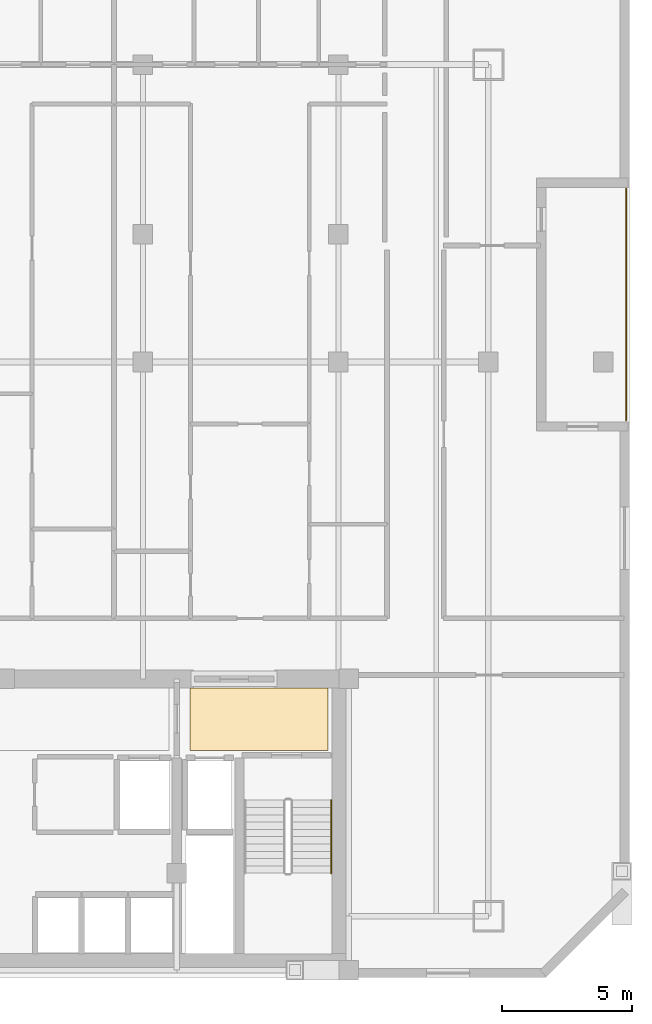
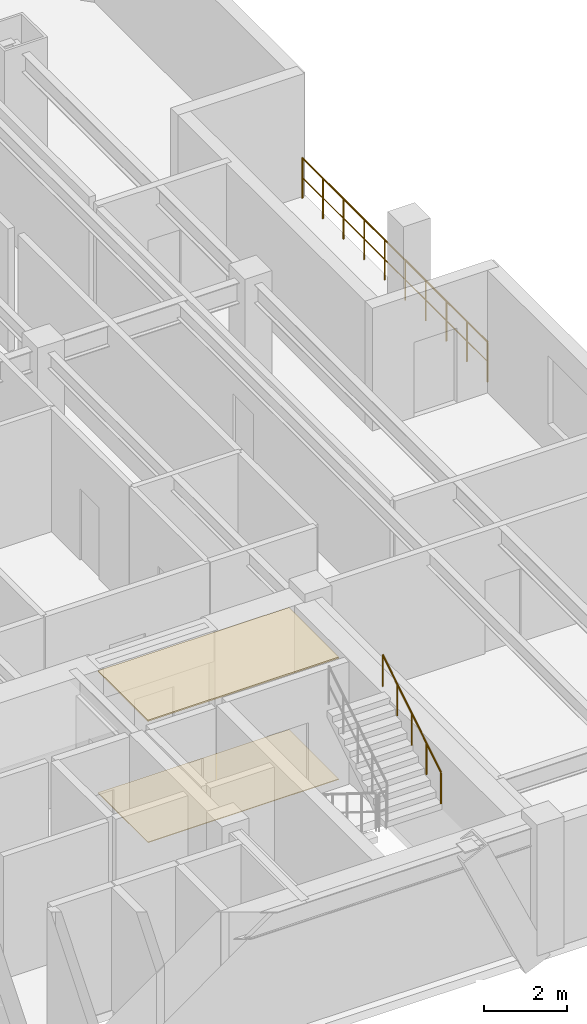
# One storey, part 10 of 10: 2 coverings, 2 railings.
"""IFC4 building model written with IfcOpenShell, lengths in metres."""

from ifc_helpers import new_model, si_unit, direction, frame, origin, origin_2d, place, context, subcontext, project, spatial, polyline, circle, outline, extrude, material, layer, layer_set, type_object, element, save


model = new_model("IFC4")

# Units and contexts
model_context = context("Model", 3, precision=1e-05, world=origin(), true_north=direction((0.0, 1.0)))
body_context = subcontext(model_context, "Body", "Model", "MODEL_VIEW")
ifc_project = project(units=[si_unit("LENGTHUNIT", "METRE"), si_unit("AREAUNIT", "SQUARE_METRE"), si_unit("VOLUMEUNIT", "CUBIC_METRE"), si_unit("PLANEANGLEUNIT", "RADIAN"), si_unit("MASSUNIT", "GRAM", prefix="KILO")], contexts=[model_context])

# Site, building, storey
site_placement = place(None, origin())
site = spatial("IfcSite", under=ifc_project, at=site_placement, CompositionType="ELEMENT")
building_placement = place(site_placement, origin())
building = spatial("IfcBuilding", under=site, at=building_placement, Name="Ventersveld Concourse Tower", CompositionType="ELEMENT")
storey_placement = place(building_placement, frame((0.0, 0.0, 123.39990234375)))
storey = spatial("IfcBuildingStorey", under=building, at=storey_placement, Name="L30", CompositionType="ELEMENT", Elevation=123.39990234375)

# Coverings
ifc_material_1 = material(Name="Mineral-fibre acoustic ceiling tile", Category="gypsum")
ifc_layer_1 = layer(ifc_material_1, 0.0400390625)
ifc_layer_set_1 = layer_set([ifc_layer_1], Name="Mineral-fibre acoustic ceiling tile")
covering_type_1 = type_object("IfcCoveringType", Name="COV-CEIL-ACOUSTIC", PredefinedType="CEILING", material=ifc_layer_set_1)
covering_1_placement = place(storey_placement, frame((0.0, 0.0, 3.56005859375)))
element("IfcCovering", 1, at=covering_1_placement, inside=storey, type_object=covering_type_1, Name="L30 East Firefighting Lobby Acoustic Ceiling", PredefinedType="CEILING", context=body_context, shape_type="SweptSolid", body=[
    extrude(outline(polyline([(38.050048828125, 8.699951171875), (43.35009765625, 8.699951171875), (43.35009765625, 11.10009765625), (38.050048828125, 11.10009765625), (38.050048828125, 8.699951171875)])), origin(), (0.0, 0.0, 1.0), 0.0400390625),
])
ifc_material_2 = material(Name="Polished Highveld granite terrazzo", Category="masonry")
ifc_layer_2 = layer(ifc_material_2, 0.02001953125)
ifc_layer_set_2 = layer_set([ifc_layer_2], Name="Polished Highveld granite terrazzo")
covering_type_2 = type_object("IfcCoveringType", Name="COV-FLOOR-TERRAZZO", PredefinedType="FLOORING", material=ifc_layer_set_2)
covering_2_placement = place(storey_placement, origin())
element("IfcCovering", 2, at=covering_2_placement, inside=storey, type_object=covering_type_2, Name="L30 East Firefighting Lobby Terrazzo Flooring", PredefinedType="FLOORING", context=body_context, shape_type="SweptSolid", body=[
    extrude(outline(polyline([(38.050048828125, 8.699951171875), (43.35009765625, 8.699951171875), (43.35009765625, 11.10009765625), (38.050048828125, 11.10009765625), (38.050048828125, 8.699951171875)])), origin(), (0.0, 0.0, 1.0), 0.02001953125),
])

# Railings
ifc_material_3 = material(Name="Brushed stainless steel 316", Category="steel")
railing_type_1 = type_object("IfcRailingType", Name="GD-TER-120", PredefinedType="GUARDRAIL", material=ifc_material_3)
railing_1_placement = place(storey_placement, frame((54.780029296875, 21.35009765625, 0.0)))
element("IfcRailing", 3, at=railing_1_placement, inside=storey, type_object=railing_type_1, Name="L30 Outdoor Terrace Guardrail NOTCH-E", PredefinedType="GUARDRAIL", context=body_context, shape_type="SweptSolid", body=[
    extrude(circle(Radius=0.02392578125, at=origin_2d()), frame((0.0, 0.0, 1.17578125), z_axis=(0.0, 1.0, 0.0), x_axis=(-1.0, 0.0, 0.0)), (0.0, 0.0, 1.0), 8.89990234375),
    extrude(circle(Radius=0.01611328125, at=origin_2d()), frame((0.0, 0.0, 0.60009765625), z_axis=(0.0, 1.0, 0.0), x_axis=(-1.0, 0.0, 0.0)), (0.0, 0.0, 1.0), 8.89990234375),
    extrude(circle(Radius=0.02099609375, at=origin_2d()), origin(), (0.0, 0.0, 1.0), 1.15185546875),
    extrude(circle(Radius=0.02099609375, at=origin_2d()), frame((0.0, 0.98876953125, 0.0)), (0.0, 0.0, 1.0), 1.15185546875),
    extrude(circle(Radius=0.02099609375, at=origin_2d()), frame((0.0, 1.977783203125, 0.0)), (0.0, 0.0, 1.0), 1.15185546875),
    extrude(circle(Radius=0.02099609375, at=origin_2d()), frame((0.0, 2.966552734375, 0.0)), (0.0, 0.0, 1.0), 1.15185546875),
    extrude(circle(Radius=0.02099609375, at=origin_2d()), frame((0.0, 3.95556640625, 0.0)), (0.0, 0.0, 1.0), 1.15185546875),
    extrude(circle(Radius=0.02099609375, at=origin_2d()), frame((0.0, 4.9443359375, 0.0)), (0.0, 0.0, 1.0), 1.15185546875),
    extrude(circle(Radius=0.02099609375, at=origin_2d()), frame((0.0, 5.933349609375, 0.0)), (0.0, 0.0, 1.0), 1.15185546875),
    extrude(circle(Radius=0.02099609375, at=origin_2d()), frame((0.0, 6.922119140625, 0.0)), (0.0, 0.0, 1.0), 1.15185546875),
    extrude(circle(Radius=0.02099609375, at=origin_2d()), frame((0.0, 7.9111328125, 0.0)), (0.0, 0.0, 1.0), 1.15185546875),
    extrude(circle(Radius=0.02099609375, at=origin_2d()), frame((0.0, 8.89990234375, 0.0)), (0.0, 0.0, 1.0), 1.15185546875),
])
railing_type_2 = type_object("IfcRailingType", Name="HR-RMP-095", PredefinedType="HANDRAIL", material=ifc_material_3)
railing_2_placement = place(storey_placement, frame((43.469970703125, 4.0, 2.10009765625)))
element("IfcRailing", 4, at=railing_2_placement, inside=storey, type_object=railing_type_2, Name="L30 ST-02 stair handrail 2", PredefinedType="HANDRAIL", context=body_context, shape_type="SweptSolid", body=[
    extrude(circle(Radius=0.02392578125, at=origin_2d()), frame((0.0, 0.0, 0.92578125), z_axis=(0.0, 0.848002457836, 0.529992293815), x_axis=(-1.0, 0.0, 0.0)), (0.0, 0.0, 1.0), 3.302001953125),
    extrude(circle(Radius=0.02099609375, at=origin_2d()), origin(), (0.0, 0.0, 1.0), 0.90185546875),
    extrude(circle(Radius=0.02099609375, at=origin_2d()), frame((0.0, 0.699951171875, 0.4375)), (0.0, 0.0, 1.0), 0.90185546875),
    extrude(circle(Radius=0.02099609375, at=origin_2d()), frame((0.0, 1.39990234375, 0.875)), (0.0, 0.0, 1.0), 0.90185546875),
    extrude(circle(Radius=0.02099609375, at=origin_2d()), frame((0.0, 2.10009765625, 1.3125)), (0.0, 0.0, 1.0), 0.90185546875),
    extrude(circle(Radius=0.02099609375, at=origin_2d()), frame((0.0, 2.800048828125, 1.75)), (0.0, 0.0, 1.0), 0.90185546875),
])

save(model, "model.ifc")
